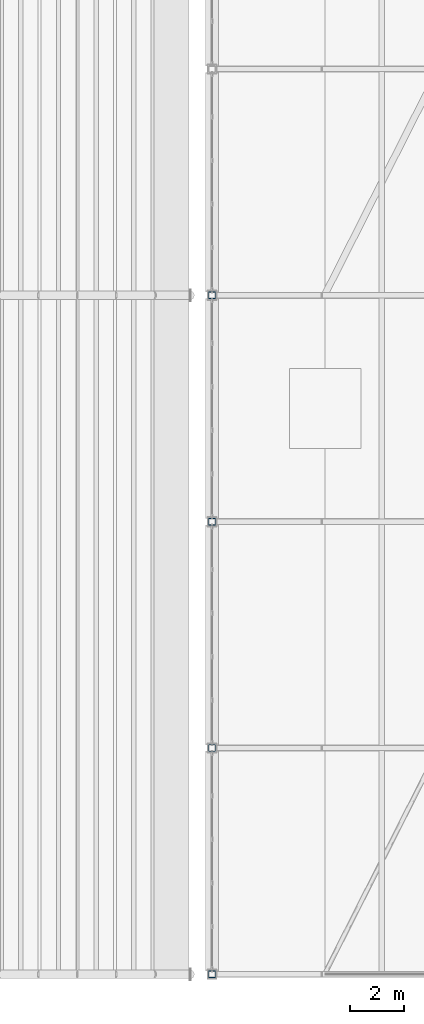
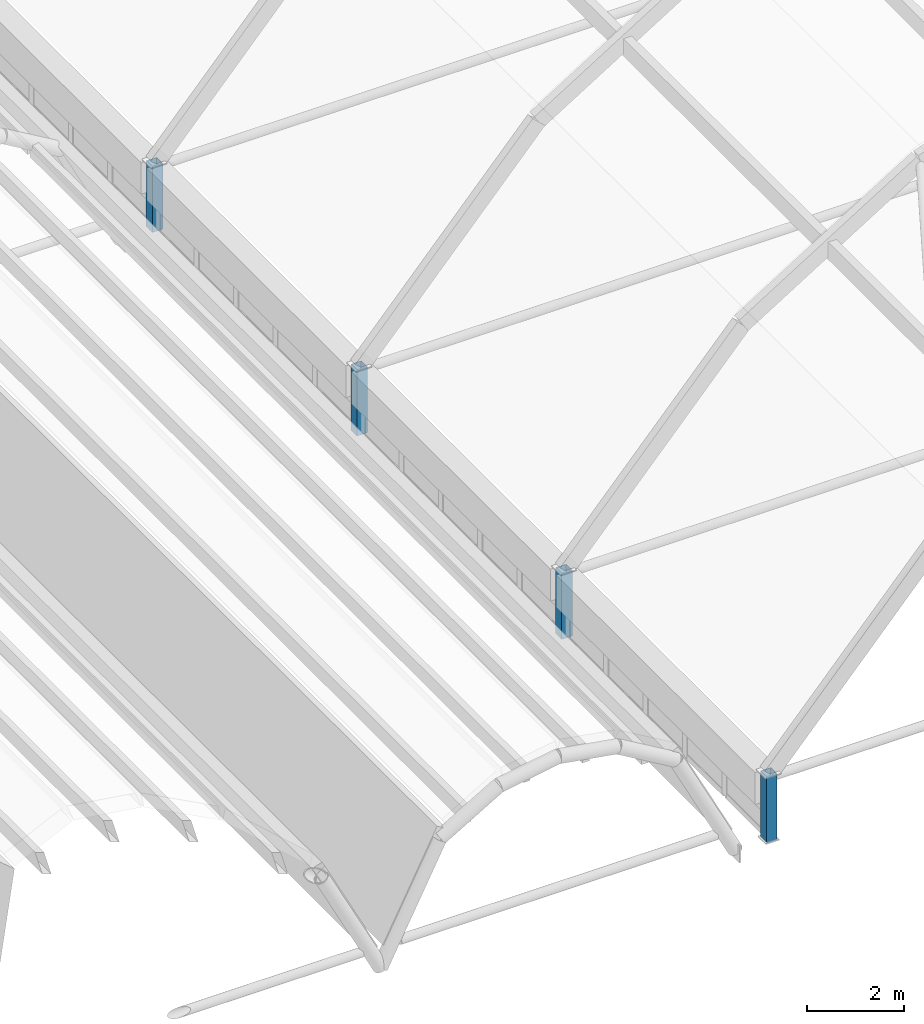
# One storey, part 1 of 114: 4 columns.
"""IFC4 building model written with IfcOpenShell, lengths in metres."""

from ifc_helpers import new_model, si_unit, direction, frame, origin, origin_2d, place, context, subcontext, project, spatial, hollow_rectangle, extrude, material, material_profile, profile_set, type_object, element, save


model = new_model("IFC4")

# Units and contexts
model_context = context("Model", 3, precision=1e-05, world=origin(), true_north=direction((0.0, 1.0)))
body_context = subcontext(model_context, "Body", "Model", "MODEL_VIEW")
ifc_project = project(units=[si_unit("LENGTHUNIT", "METRE"), si_unit("AREAUNIT", "SQUARE_METRE"), si_unit("VOLUMEUNIT", "CUBIC_METRE"), si_unit("PLANEANGLEUNIT", "RADIAN"), si_unit("MASSUNIT", "GRAM", prefix="KILO")], contexts=[model_context])

# Site, building, storey
site_placement = place(None, origin())
site = spatial("IfcSite", under=ifc_project, at=site_placement, CompositionType="ELEMENT")
building_placement = place(site_placement, origin())
building = spatial("IfcBuilding", under=site, at=building_placement, Name="Xazarin Passage Department Store", CompositionType="ELEMENT")
storey_placement = place(building_placement, frame((0.0, 0.0, 14.39990234375)))
storey = spatial("IfcBuildingStorey", under=building, at=storey_placement, Name="L03", CompositionType="ELEMENT", Elevation=14.39990234375)

# Columns
ifc_material = material(Name="Steel S355", Category="steel")
ifc_material_profile = material_profile(ifc_material, hollow_rectangle(XDim=0.25, YDim=0.25, WallThickness=0.012451171875, at=origin_2d()), Name="SHS 250x250x12.5")
ifc_profile_set = profile_set([ifc_material_profile], Name="Steel S355")
column_type = type_object("IfcColumnType", Name="STR-COL-DRM250", PredefinedType="COLUMN", material=ifc_profile_set)
for number, where, z_axis, x_axis, name in (
    (1, (68.0, 0.0, 0.0), (0.0, 0.0, 1.0), (1.0, 0.0, 0.0), "V2S Gridshell Drum Column W-1"),
    (2, (68.0, 8.39990234375, 0.0), (0.0, 0.0, 1.0), (1.0, 0.0, 0.0), "V2S Gridshell Drum Column W-2"),
    (3, (68.0, 16.800048828125, 0.0), (0.0, 0.0, 1.0), (1.0, 0.0, 0.0), "V2S Gridshell Drum Column W-3"),
    (4, (68.0, 25.199951171875, 0.0), (0.0, 0.0, 1.0), (1.0, 0.0, 0.0), "V2S Gridshell Drum Column W-4"),
):
    element("IfcColumn", number, at=place(storey_placement, frame(where, z_axis=z_axis, x_axis=x_axis)), inside=storey, type_object=column_type, Name=name, PredefinedType="COLUMN", context=body_context, shape_type="SweptSolid", body=[
        extrude(hollow_rectangle(XDim=0.25, YDim=0.25, WallThickness=0.012451171875, at=origin_2d()), origin(), (0.0, 0.0, 1.0), 1.65185546875),
    ])

save(model, "model.ifc")
